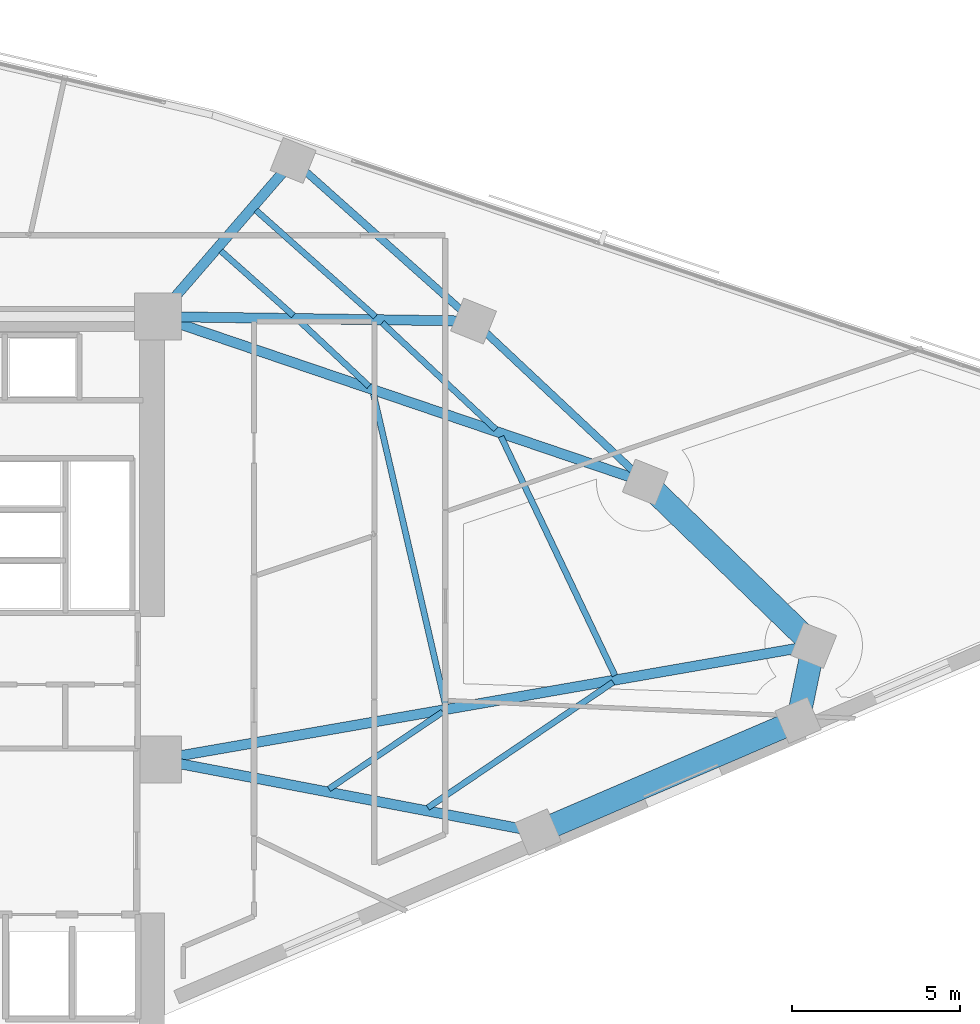
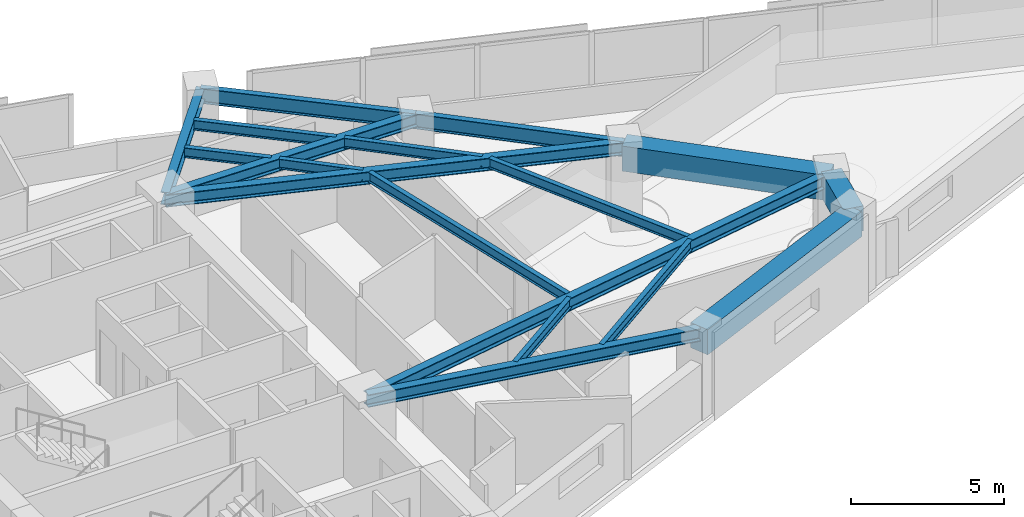
# One storey, part 3 of 15: 18 beams.
"""IFC4 building model written with IfcOpenShell, lengths in metres."""

import ifcopenshell
import ifcopenshell.guid

model = None  # the IFC model being written
_history = None  # IfcOwnerHistory: only IFC2X3 demands one
_inside = {}  # id of a spatial element -> (the spatial element, [elements in it])
_under = {}  # id of a project, library or spatial element -> (it, [spatial elements below it])
_declared = {}  # id of a project -> (the project, [libraries it declares])
_typed = {}  # id of a type object -> (the type object, [elements of that type])
_made_of = {}  # id of a material, layer set ... -> (it, [elements and type objects made of it])


def new_model(schema):
    """Start an empty IFC model of exactly this schema.

    Asked for "IFC4X3", IfcOpenShell would pick the latest addendum, in which some entities
    have other attributes; the version numbers below select the first issue.
    IFC2X3 requires an IfcOwnerHistory on every rooted entity: one is made here for all.
    """
    global model, _history
    if schema == "IFC4X3":
        model = ifcopenshell.file(schema_version=(4, 3, 0, 0))
    else:
        model = ifcopenshell.file(schema=schema)
    _inside.clear()
    _under.clear()
    _declared.clear()
    _typed.clear()
    _made_of.clear()
    _history = None
    if model.schema == "IFC2X3":
        org = make("IfcOrganization", Name="unknown")
        user = make(
            "IfcPersonAndOrganization",
            ThePerson=make("IfcPerson", FamilyName="unknown"),
            TheOrganization=org,
        )
        app = make(
            "IfcApplication",
            ApplicationDeveloper=org,
            Version="unknown",
            ApplicationFullName="unknown",
            ApplicationIdentifier="unknown",
        )
        _history = make(
            "IfcOwnerHistory",
            OwningUser=user,
            OwningApplication=app,
            ChangeAction="ADDED",
            CreationDate=0,
        )
    return model


def make(cls, **values):
    """One entity of the class cls with the attributes given. An attribute that is None is left unset."""
    return model.create_entity(
        cls, **{name: value for name, value in values.items() if value is not None}
    )


def rooted(cls, **values):
    """An entity with a GlobalId (a new one), such as an element, a storey or a relation."""
    return make(cls, GlobalId=ifcopenshell.guid.new(), OwnerHistory=_history, **values)


def si_unit(unit_type, name, prefix=None):
    """IfcSIUnit, for example si_unit("LENGTHUNIT", "METRE", prefix="MILLI")."""
    return make("IfcSIUnit", UnitType=unit_type, Prefix=prefix, Name=name)


def assignment(units):
    """IfcUnitAssignment: the units of a project."""
    return None if units is None else make("IfcUnitAssignment", Units=units)


def point(xyz):
    """IfcCartesianPoint."""
    return None if xyz is None else make("IfcCartesianPoint", Coordinates=xyz)


def direction(xyz):
    """IfcDirection."""
    return None if xyz is None else make("IfcDirection", DirectionRatios=xyz)


def frame(location, z_axis=None, x_axis=None):
    """IfcAxis2Placement3D, a coordinate frame: its origin and axes. An axis left out is left unset."""
    return make(
        "IfcAxis2Placement3D",
        Location=point(location),
        Axis=direction(z_axis),
        RefDirection=direction(x_axis),
    )


def frame_2d(location, x_axis=None):
    """IfcAxis2Placement2D, a coordinate frame in the plane: its origin and x axis."""
    return make(
        "IfcAxis2Placement2D", Location=point(location), RefDirection=direction(x_axis)
    )


def origin():
    """The frame at (0, 0, 0) with its axes left unset."""
    return frame((0.0, 0.0, 0.0))


def origin_2d():
    """The frame at (0, 0) in the plane with its x axis left unset."""
    return frame_2d((0.0, 0.0))


def place(relative_to, where):
    """IfcLocalPlacement: puts the frame where relative to a parent placement (None: the world)."""
    return make(
        "IfcLocalPlacement", PlacementRelTo=relative_to, RelativePlacement=where
    )


def context(
    kind, dimensions, precision=None, world=None, true_north=None, identifier=None
):
    """IfcGeometricRepresentationContext, for example the 3D "Model" context."""
    return make(
        "IfcGeometricRepresentationContext",
        ContextIdentifier=identifier,
        ContextType=kind,
        CoordinateSpaceDimension=dimensions,
        Precision=precision,
        WorldCoordinateSystem=world,
        TrueNorth=true_north,
    )


def subcontext(parent, identifier, kind, view, scale=None):
    """IfcGeometricRepresentationSubContext, for example "Body" below "Model"."""
    return make(
        "IfcGeometricRepresentationSubContext",
        ContextIdentifier=identifier,
        ContextType=kind,
        ParentContext=parent,
        TargetScale=scale,
        TargetView=view,
    )


def project(units=None, contexts=None):
    """IfcProject with its units and contexts."""
    return rooted(
        "IfcProject",
        Name="project",
        RepresentationContexts=contexts,
        UnitsInContext=assignment(units),
    )


def spatial(cls, under=None, at=None, **own):
    """A site, building, storey or space (cls), placed at a placement, below another one or the project."""
    s = rooted(cls, ObjectPlacement=at, **own)
    if under is not None:
        _under.setdefault(under.id(), (under, []))[1].append(s)
    return s


def profile(cls, at=None, kind="AREA", **sizes):
    """A parametric profile (cls). Its sizes go by their IFC names, for example OverallWidth=200.0."""
    return make(cls, ProfileType=kind, Position=at, **sizes)


def rectangle(**sizes):
    """IfcRectangleProfileDef."""
    return profile("IfcRectangleProfileDef", **sizes)


def i_section(**sizes):
    """IfcIShapeProfileDef."""
    return profile("IfcIShapeProfileDef", **sizes)


def extrude(swept, where, along, depth):
    """IfcExtrudedAreaSolid: the profile swept, set in the frame where, extruded along a direction by depth."""
    return make(
        "IfcExtrudedAreaSolid",
        SweptArea=swept,
        Position=where,
        ExtrudedDirection=direction(along),
        Depth=depth,
    )


def shape(context_of_items, identifier, shape_type, items):
    """IfcShapeRepresentation: the items that make up one representation, for example the "Body"."""
    return make(
        "IfcShapeRepresentation",
        ContextOfItems=context_of_items,
        RepresentationIdentifier=identifier,
        RepresentationType=shape_type,
        Items=items,
    )


def material(Name=None, Category=None):
    """IfcMaterial."""
    return make("IfcMaterial", Name=Name, Category=Category)


def material_profile(
    of_material, cross_section, Name=None, Category=None, Priority=None
):
    """IfcMaterialProfile: a cross section and its material."""
    return make(
        "IfcMaterialProfile",
        Name=Name,
        Material=of_material,
        Profile=cross_section,
        Priority=Priority,
        Category=Category,
    )


def profile_set(profiles, Name=None, composite=None):
    """IfcMaterialProfileSet."""
    return make(
        "IfcMaterialProfileSet",
        Name=Name,
        MaterialProfiles=profiles,
        CompositeProfile=composite,
    )


def made_of(thing, what):
    """Note that an element or type object is made of a material, layer set ...; save() writes the relation."""
    if what is not None:
        _made_of.setdefault(what.id(), (what, []))[1].append(thing)
    return thing


def type_object(cls, material=None, **own):
    """A type object (cls), such as IfcWallType, which elements share."""
    return made_of(rooted(cls, **own), material)


def element(
    cls,
    number,
    at=None,
    inside=None,
    cuts=None,
    type_object=None,
    material=None,
    context=None,
    identifier="Body",
    shape_type=None,
    held_by="IfcProductDefinitionShape",
    body=None,
    shapes=None,
    **own,
):
    """One element of the class cls, such as IfcWall. Its Tag is "e" and its number.

    at: its placement. inside: the storey or other place that contains it. cuts: it is an
    opening in that element (IfcRelVoidsElement). A single representation is given by context,
    identifier, shape_type and body (its items); several are given by shapes. held_by: the class
    of the entity that holds the representations. save() writes the other relations.
    """
    e = rooted(cls, Tag="e%d" % number, ObjectPlacement=at, **own)
    if body is not None:
        shapes = [shape(context, identifier, shape_type, body)]
    if shapes is not None:
        e.Representation = make(held_by, Representations=shapes)
    if inside is not None:
        _inside.setdefault(inside.id(), (inside, []))[1].append(e)
    if cuts is not None:
        rooted(
            "IfcRelVoidsElement", RelatingBuildingElement=cuts, RelatedOpeningElement=e
        )
    if type_object is not None:
        _typed.setdefault(type_object.id(), (type_object, []))[1].append(e)
    return made_of(e, material)


def aggregate(whole, parts):
    """IfcRelAggregates: a whole, such as a stair, and the parts it consists of."""
    return rooted("IfcRelAggregates", RelatingObject=whole, RelatedObjects=parts)


def save(model, path):
    """Write the relations noted so far, then the file.

    IfcRelAggregates (storeys below a building ...), IfcRelContainedInSpatialStructure (elements
    in a storey), IfcRelDefinesByType, IfcRelAssociatesMaterial and IfcRelDeclares: one each for
    every whole, place, type object, material and project.
    """
    for whole, parts in _under.values():
        aggregate(whole, parts)
    for where, things in _inside.values():
        rooted(
            "IfcRelContainedInSpatialStructure",
            RelatedElements=things,
            RelatingStructure=where,
        )
    for kind, things in _typed.values():
        rooted("IfcRelDefinesByType", RelatedObjects=things, RelatingType=kind)
    for what, things in _made_of.values():
        rooted("IfcRelAssociatesMaterial", RelatedObjects=things, RelatingMaterial=what)
    for by, libraries in _declared.values():
        rooted("IfcRelDeclares", RelatingContext=by, RelatedDefinitions=libraries)
    model.write(path)


model = new_model("IFC4")

# Units and contexts
model_context = context("Model", 3, precision=1e-05, world=origin(), true_north=direction((0.0, 1.0)))
body_context = subcontext(model_context, "Body", "Model", "MODEL_VIEW")
ifc_project = project(units=[si_unit("LENGTHUNIT", "METRE"), si_unit("AREAUNIT", "SQUARE_METRE"), si_unit("VOLUMEUNIT", "CUBIC_METRE"), si_unit("PLANEANGLEUNIT", "RADIAN"), si_unit("MASSUNIT", "GRAM", prefix="KILO")], contexts=[model_context])

# Site, building, storey
site_placement = place(None, origin())
site = spatial("IfcSite", under=ifc_project, at=site_placement, CompositionType="ELEMENT")
building_placement = place(site_placement, origin())
building = spatial("IfcBuilding", under=site, at=building_placement, Name="Narakoshi Arena Tower", CompositionType="ELEMENT")
storey_placement = place(building_placement, frame((0.0, 0.0, 186.139892578125)))
storey = spatial("IfcBuildingStorey", under=building, at=storey_placement, Name="L50", CompositionType="ELEMENT", Elevation=186.139892578125)

# Beams
ifc_material_1 = material(Name="Concrete C60/75", Category="concrete")
ifc_material_profile_1 = material_profile(ifc_material_1, rectangle(XDim=0.699951171875, YDim=1.0, at=origin_2d()), Name="RCB700x1000")
ifc_profile_set_1 = profile_set([ifc_material_profile_1], Name="Concrete C60/75")
beam_type_1 = type_object("IfcBeamType", Name="BM-CPL-1000", PredefinedType="BEAM", material=ifc_profile_set_1)
beam_1_placement = place(storey_placement, frame((96.830078125, 41.2001953125, 2.760009765625), z_axis=(0.918792947441, 0.394739812703, 0.0), x_axis=(-0.394739812703, 0.918792947441, 0.0)))
element("IfcBeam", 1, at=beam_1_placement, inside=storey, type_object=beam_type_1, Name="L50 Perimeter Edge Girder 01", PredefinedType="BEAM", context=body_context, shape_type="SweptSolid", body=[
    extrude(rectangle(XDim=0.699951171875, YDim=1.0, at=origin_2d()), origin(), (0.0, 0.0, 1.0), 8.401611328125),
])
beam_2_placement = place(storey_placement, frame((104.54931640625, 44.5166015625, 2.760009765625), z_axis=(0.203000450605, 0.979178644096, 0.0), x_axis=(-0.979178644096, 0.203000450605, 0.0)))
element("IfcBeam", 2, at=beam_2_placement, inside=storey, type_object=beam_type_1, Name="L50 Perimeter Edge Girder 02", PredefinedType="BEAM", context=body_context, shape_type="SweptSolid", body=[
    extrude(rectangle(XDim=0.699951171875, YDim=1.0, at=origin_2d()), origin(), (0.0, 0.0, 1.0), 2.26953125),
])
beam_3_placement = place(storey_placement, frame((105.010009765625, 46.73876953125, 2.760009765625), z_axis=(-0.717826032278, 0.696222512839, 0.0), x_axis=(-0.696222512839, -0.717826032278, 0.0)))
element("IfcBeam", 3, at=beam_3_placement, inside=storey, type_object=beam_type_1, Name="L50 Perimeter Edge Girder 03", PredefinedType="BEAM", context=body_context, shape_type="SweptSolid", body=[
    extrude(rectangle(XDim=0.699951171875, YDim=1.0, at=origin_2d()), origin(), (0.0, 0.0, 1.0), 6.96142578125),
])
ifc_material_2 = material(Name="Structural steel S355J2", Category="steel")
ifc_material_profile_2 = material_profile(ifc_material_2, i_section(OverallWidth=0.219970703125, OverallDepth=0.60009765625, WebThickness=0.011962890625, FlangeThickness=0.01904296875, FilletRadius=0.02392578125, at=origin_2d()), Name="IPE600")
ifc_profile_set_2 = profile_set([ifc_material_profile_2], Name="Structural steel S355J2")
beam_type_2 = type_object("IfcBeamType", Name="BM-EDGE-600", PredefinedType="BEAM", material=ifc_profile_set_2)
beam_4_placement = place(storey_placement, frame((100.012939453125, 51.58544921875, 2.960205078125), z_axis=(-0.729413011888, 0.684073576517, 0.0), x_axis=(-0.684073576517, -0.729413011888, 0.0)))
element("IfcBeam", 4, at=beam_4_placement, inside=storey, type_object=beam_type_2, Name="L50 Perimeter Edge Girder 04", PredefinedType="BEAM", context=body_context, shape_type="SweptSolid", body=[
    extrude(i_section(OverallWidth=0.219970703125, OverallDepth=0.60009765625, WebThickness=0.011962890625, FlangeThickness=0.01904296875, FilletRadius=0.02392578125, at=origin_2d()), origin(), (0.0, 0.0, 1.0), 6.9892578125),
])
beam_5_placement = place(storey_placement, frame((94.914794921875, 56.36669921875, 2.960205078125), z_axis=(-0.746743797071, 0.665111796269, 0.0), x_axis=(-0.665111796269, -0.746743797071, 0.0)))
element("IfcBeam", 5, at=beam_5_placement, inside=storey, type_object=beam_type_2, Name="L50 Perimeter Edge Girder 05", PredefinedType="BEAM", context=body_context, shape_type="SweptSolid", body=[
    extrude(i_section(OverallWidth=0.219970703125, OverallDepth=0.60009765625, WebThickness=0.011962890625, FlangeThickness=0.01904296875, FilletRadius=0.02392578125, at=origin_2d()), origin(), (0.0, 0.0, 1.0), 7.168701171875),
])
ifc_material_profile_3 = material_profile(ifc_material_2, i_section(OverallWidth=0.300048828125, OverallDepth=0.5, WebThickness=0.014404296875, FlangeThickness=0.028076171875, FilletRadius=0.027099609375, at=origin_2d()), Name="HE500B")
ifc_profile_set_3 = profile_set([ifc_material_profile_3], Name="Structural steel S355J2")
beam_type_3 = type_object("IfcBeamType", Name="BM-PRI-500", PredefinedType="BEAM", material=ifc_profile_set_3)
beam_6_placement = place(storey_placement, frame((85.550048828125, 43.35009765625, 3.010009765625), z_axis=(0.982317345732, -0.187223482166, 0.0), x_axis=(0.187223482166, 0.982317345732, 0.0)))
element("IfcBeam", 6, at=beam_6_placement, inside=storey, type_object=beam_type_3, Name="L50 Radial Primary Floor Girder 01", PredefinedType="BEAM", context=body_context, shape_type="SweptSolid", body=[
    extrude(i_section(OverallWidth=0.300048828125, OverallDepth=0.5, WebThickness=0.014404296875, FlangeThickness=0.028076171875, FilletRadius=0.027099609375, at=origin_2d()), origin(), (0.0, 0.0, 1.0), 11.483154296875),
])
beam_7_placement = place(storey_placement, frame((85.550048828125, 43.35009765625, 3.010009765625), z_axis=(0.985174720478, 0.171553986052, 0.0), x_axis=(-0.171553986052, 0.985174720478, 0.0)))
element("IfcBeam", 7, at=beam_7_placement, inside=storey, type_object=beam_type_3, Name="L50 Radial Primary Floor Girder 03", PredefinedType="BEAM", context=body_context, shape_type="SweptSolid", body=[
    extrude(i_section(OverallWidth=0.300048828125, OverallDepth=0.5, WebThickness=0.014404296875, FlangeThickness=0.028076171875, FilletRadius=0.027099609375, at=origin_2d()), origin(), (0.0, 0.0, 1.0), 19.752685546875),
])
beam_8_placement = place(storey_placement, frame((85.550048828125, 56.5, 3.010009765625), z_axis=(0.94682923499, -0.321736537818, 0.0), x_axis=(0.321736537818, 0.94682923499, 0.0)))
element("IfcBeam", 8, at=beam_8_placement, inside=storey, type_object=beam_type_3, Name="L50 Radial Primary Floor Girder 04", PredefinedType="BEAM", context=body_context, shape_type="SweptSolid", body=[
    extrude(i_section(OverallWidth=0.300048828125, OverallDepth=0.5, WebThickness=0.014404296875, FlangeThickness=0.028076171875, FilletRadius=0.027099609375, at=origin_2d()), origin(), (0.0, 0.0, 1.0), 15.275146484375),
])
beam_9_placement = place(storey_placement, frame((85.550048828125, 56.5, 3.010009765625), z_axis=(0.999898707477, -0.014232876956, 0.0), x_axis=(0.014232876956, 0.999898707477, 0.0)))
element("IfcBeam", 9, at=beam_9_placement, inside=storey, type_object=beam_type_3, Name="L50 Radial Primary Floor Girder 05", PredefinedType="BEAM", context=body_context, shape_type="SweptSolid", body=[
    extrude(i_section(OverallWidth=0.300048828125, OverallDepth=0.5, WebThickness=0.014404296875, FlangeThickness=0.028076171875, FilletRadius=0.027099609375, at=origin_2d()), origin(), (0.0, 0.0, 1.0), 9.36572265625),
])
beam_10_placement = place(storey_placement, frame((85.550048828125, 56.5, 3.010009765625), z_axis=(0.654434553487, 0.756118651537, 0.0), x_axis=(-0.756118651537, 0.654434553487, 0.0)))
element("IfcBeam", 10, at=beam_10_placement, inside=storey, type_object=beam_type_3, Name="L50 Radial Primary Floor Girder 06", PredefinedType="BEAM", context=body_context, shape_type="SweptSolid", body=[
    extrude(i_section(OverallWidth=0.300048828125, OverallDepth=0.5, WebThickness=0.014404296875, FlangeThickness=0.028076171875, FilletRadius=0.027099609375, at=origin_2d()), origin(), (0.0, 0.0, 1.0), 6.129638671875),
])
ifc_material_profile_4 = material_profile(ifc_material_2, i_section(OverallWidth=0.179931640625, OverallDepth=0.39990234375, WebThickness=0.008544921875, FlangeThickness=0.013427734375, FilletRadius=0.02099609375, at=origin_2d()), Name="IPE400")
ifc_profile_set_4 = profile_set([ifc_material_profile_4], Name="Structural steel S355J2")
beam_type_4 = type_object("IfcBeamType", Name="BM-SEC-400", PredefinedType="JOIST", material=ifc_profile_set_4)
beam_11_placement = place(storey_placement, frame((90.625, 42.479736328125, 3.06005859375), z_axis=(0.828029909455, 0.560683929721, 0.0), x_axis=(-0.560683929721, 0.828029909455, 0.0)))
element("IfcBeam", 11, at=beam_11_placement, inside=storey, type_object=beam_type_4, Name="L50 Composite Secondary Floor Joist 01", PredefinedType="JOIST", context=body_context, shape_type="SweptSolid", body=[
    extrude(i_section(OverallWidth=0.179931640625, OverallDepth=0.39990234375, WebThickness=0.008544921875, FlangeThickness=0.013427734375, FilletRadius=0.02099609375, at=origin_2d()), origin(), (0.0, 0.0, 1.0), 4.076416015625),
])
beam_12_placement = place(storey_placement, frame((93.557861328125, 41.9208984375, 3.06005859375), z_axis=(0.828038093963, 0.560671842476, 0.0), x_axis=(-0.560671842476, 0.828038093963, 0.0)))
element("IfcBeam", 12, at=beam_12_placement, inside=storey, type_object=beam_type_4, Name="L50 Composite Secondary Floor Joist 02", PredefinedType="JOIST", context=body_context, shape_type="SweptSolid", body=[
    extrude(i_section(OverallWidth=0.179931640625, OverallDepth=0.39990234375, WebThickness=0.008544921875, FlangeThickness=0.013427734375, FilletRadius=0.02099609375, at=origin_2d()), origin(), (0.0, 0.0, 1.0), 6.644775390625),
])
beam_13_placement = place(storey_placement, frame((94.081787109375, 44.97265625, 3.06005859375), z_axis=(-0.225551777579, 0.97423118182, 0.0), x_axis=(-0.97423118182, -0.225551777579, 0.0)))
element("IfcBeam", 13, at=beam_13_placement, inside=storey, type_object=beam_type_4, Name="L50 Composite Secondary Floor Joist 03", PredefinedType="JOIST", context=body_context, shape_type="SweptSolid", body=[
    extrude(i_section(OverallWidth=0.179931640625, OverallDepth=0.39990234375, WebThickness=0.008544921875, FlangeThickness=0.013427734375, FilletRadius=0.02099609375, at=origin_2d()), origin(), (0.0, 0.0, 1.0), 9.4775390625),
])
beam_14_placement = place(storey_placement, frame((99.11376953125, 45.843994140625, 3.06005859375), z_axis=(-0.430296519407, 0.902687601214, 0.0), x_axis=(-0.902687601214, -0.430296519407, 0.0)))
element("IfcBeam", 14, at=beam_14_placement, inside=storey, type_object=beam_type_4, Name="L50 Composite Secondary Floor Joist 04", PredefinedType="JOIST", context=body_context, shape_type="SweptSolid", body=[
    extrude(i_section(OverallWidth=0.179931640625, OverallDepth=0.39990234375, WebThickness=0.008544921875, FlangeThickness=0.013427734375, FilletRadius=0.02099609375, at=origin_2d()), origin(), (0.0, 0.0, 1.0), 7.858642578125),
])
beam_15_placement = place(storey_placement, frame((91.815185546875, 54.429931640625, 3.06005859375), z_axis=(-0.729412358969, 0.68407427271, 0.0), x_axis=(-0.68407427271, -0.729412358969, 0.0)))
element("IfcBeam", 15, at=beam_15_placement, inside=storey, type_object=beam_type_4, Name="L50 Composite Secondary Floor Joist 05", PredefinedType="JOIST", context=body_context, shape_type="SweptSolid", body=[
    extrude(i_section(OverallWidth=0.179931640625, OverallDepth=0.39990234375, WebThickness=0.008544921875, FlangeThickness=0.013427734375, FilletRadius=0.02099609375, at=origin_2d()), origin(), (0.0, 0.0, 1.0), 2.805419921875),
])
beam_16_placement = place(storey_placement, frame((95.57568359375, 53.152099609375, 3.06005859375), z_axis=(-0.729426843307, 0.684058828072, 0.0), x_axis=(-0.684058828072, -0.729426843307, 0.0)))
element("IfcBeam", 16, at=beam_16_placement, inside=storey, type_object=beam_type_4, Name="L50 Composite Secondary Floor Joist 06", PredefinedType="JOIST", context=body_context, shape_type="SweptSolid", body=[
    extrude(i_section(OverallWidth=0.179931640625, OverallDepth=0.39990234375, WebThickness=0.008544921875, FlangeThickness=0.013427734375, FilletRadius=0.02099609375, at=origin_2d()), origin(), (0.0, 0.0, 1.0), 4.62255859375),
])
beam_17_placement = place(storey_placement, frame((89.569580078125, 56.531005859375, 3.06005859375), z_axis=(-0.746689655308, 0.665172578099, 0.0), x_axis=(-0.665172578099, -0.746689655308, 0.0)))
element("IfcBeam", 17, at=beam_17_placement, inside=storey, type_object=beam_type_4, Name="L50 Composite Secondary Floor Joist 07", PredefinedType="JOIST", context=body_context, shape_type="SweptSolid", body=[
    extrude(i_section(OverallWidth=0.179931640625, OverallDepth=0.39990234375, WebThickness=0.008544921875, FlangeThickness=0.013427734375, FilletRadius=0.02099609375, at=origin_2d()), origin(), (0.0, 0.0, 1.0), 2.884033203125),
])
beam_18_placement = place(storey_placement, frame((92.00439453125, 56.49658203125, 3.06005859375), z_axis=(-0.746730885914, 0.665126291784, 0.0), x_axis=(-0.665126291784, -0.746730885914, 0.0)))
element("IfcBeam", 18, at=beam_18_placement, inside=storey, type_object=beam_type_4, Name="L50 Composite Secondary Floor Joist 08", PredefinedType="JOIST", context=body_context, shape_type="SweptSolid", body=[
    extrude(i_section(OverallWidth=0.179931640625, OverallDepth=0.39990234375, WebThickness=0.008544921875, FlangeThickness=0.013427734375, FilletRadius=0.02099609375, at=origin_2d()), origin(), (0.0, 0.0, 1.0), 4.747802734375),
])

save(model, "model.ifc")
